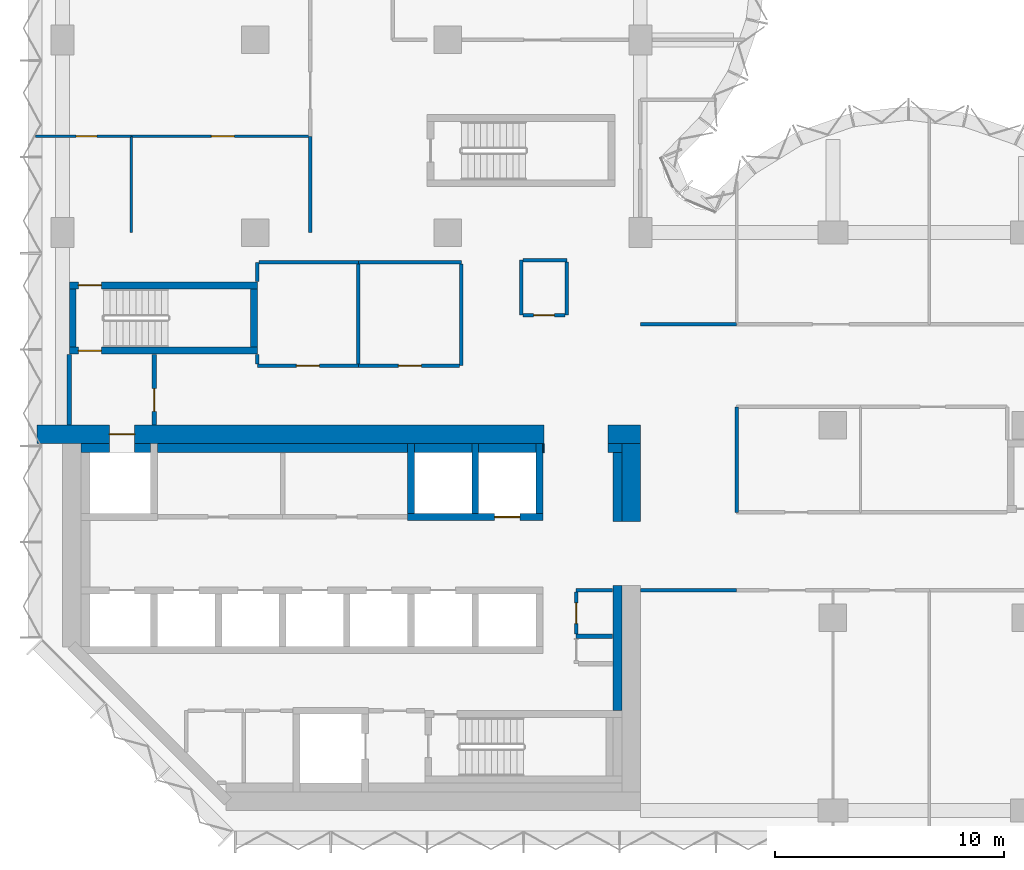
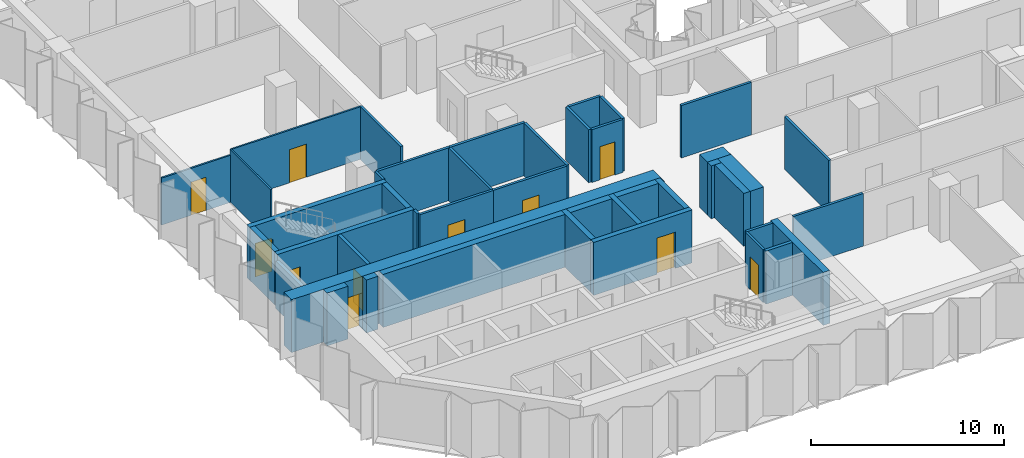
# One storey, part 8 of 13: 44 walls, 11 doors, 11 openings.
"""IFC4 building model written with IfcOpenShell, lengths in metres."""

from ifc_helpers import new_model, si_unit, direction, frame, frame_2d, origin, place, context, subcontext, project, spatial, rectangle, extrude, material, layer, layer_set, type_object, element, fill, save


model = new_model("IFC4")

# Units and contexts
model_context = context("Model", 3, precision=1e-05, world=origin(), true_north=direction((0.0, 1.0)))
body_context = subcontext(model_context, "Body", "Model", "MODEL_VIEW")
ifc_project = project(units=[si_unit("LENGTHUNIT", "METRE"), si_unit("AREAUNIT", "SQUARE_METRE"), si_unit("VOLUMEUNIT", "CUBIC_METRE"), si_unit("PLANEANGLEUNIT", "RADIAN"), si_unit("MASSUNIT", "GRAM", prefix="KILO")], contexts=[model_context])

# Site, building, storey
site_placement = place(None, origin())
site = spatial("IfcSite", under=ifc_project, at=site_placement, CompositionType="ELEMENT")
building_placement = place(site_placement, origin())
building = spatial("IfcBuilding", under=site, at=building_placement, Name="Brevane Broadcast Tower", CompositionType="ELEMENT")
storey_placement = place(building_placement, frame((0.0, 0.0, 95.300048828125)))
storey = spatial("IfcBuildingStorey", under=building, at=storey_placement, Name="L22", CompositionType="ELEMENT", Elevation=95.300048828125)

# Walls
ifc_material_1 = material(Name="Concrete C32/40", Category="concrete")
ifc_layer_1 = layer(ifc_material_1, 0.39990234375)
ifc_layer_set_1 = layer_set([ifc_layer_1], Name="Core chase wall 400 mm")
wall_type_1 = type_object("IfcWallType", Name="Core chase wall 400 mm", PredefinedType="PARTITIONING", material=ifc_layer_set_1)
wall_1_placement = place(storey_placement, frame((24.199951171875, 12.60009765625, 0.0), z_axis=(0.0, 0.0, 1.0), x_axis=(0.0, 1.0, 0.0)))
element("IfcWall", 1, at=wall_1_placement, inside=storey, type_object=wall_type_1, Name="L22 chase wall LE2", PredefinedType="PARTITIONING", context=body_context, shape_type="SweptSolid", body=[
    extrude(rectangle(XDim=3.0, YDim=0.39990234375, at=frame_2d((1.5, 0.0))), origin(), (0.0, 0.0, 1.0), 3.349853515625),
])
wall_2_placement = place(storey_placement, frame((0.800048828125, 15.800048828125, 0.0), z_axis=(0.0, 0.0, 1.0), x_axis=(1.0, 0.0, 0.0)))
element("IfcWall", 2, at=wall_2_placement, inside=storey, type_object=wall_type_1, Name="L22 chase wall LN0", PredefinedType="PARTITIONING", context=body_context, shape_type="SweptSolid", body=[
    extrude(rectangle(XDim=1.25, YDim=0.39990234375, at=frame_2d((0.625, 0.0))), origin(), (0.0, 0.0, 1.0), 3.349853515625),
])
wall_3_placement = place(storey_placement, frame((23.800048828125, 15.800048828125, 0.0), z_axis=(0.0, 0.0, 1.0), x_axis=(1.0, 0.0, 0.0)))
element("IfcWall", 3, at=wall_3_placement, inside=storey, type_object=wall_type_1, Name="L22 chase wall LN2", PredefinedType="PARTITIONING", context=body_context, shape_type="SweptSolid", body=[
    extrude(rectangle(XDim=0.599853515625, YDim=0.39990234375, at=frame_2d((0.2998046875, 0.0))), origin(), (0.0, 0.0, 1.0), 3.349853515625),
])
wall_4_placement = place(storey_placement, frame((3.14990234375, 15.800048828125, 0.0), z_axis=(0.0, 0.0, 1.0), x_axis=(1.0, 0.0, 0.0)))
element("IfcWall", 4, at=wall_4_placement, inside=storey, type_object=wall_type_1, Name="L22 chase wall LN1-1", PredefinedType="PARTITIONING", context=body_context, shape_type="SweptSolid", body=[
    extrude(rectangle(XDim=0.7001953125, YDim=0.39990234375, at=frame_2d((0.35009765625, 0.0))), origin(), (0.0, 0.0, 1.0), 3.349853515625),
])
wall_5_placement = place(storey_placement, frame((4.14990234375, 15.800048828125, 0.0), z_axis=(0.0, 0.0, 1.0), x_axis=(1.0, 0.0, 0.0)))
element("IfcWall", 5, at=wall_5_placement, inside=storey, type_object=wall_type_1, Name="L22 chase wall LN1-2-1", PredefinedType="PARTITIONING", context=body_context, shape_type="SweptSolid", body=[
    extrude(rectangle(XDim=10.900146484375, YDim=0.39990234375, at=frame_2d((5.4501953125, 0.0))), origin(), (0.0, 0.0, 1.0), 3.349853515625),
])
for number, where, z_axis, x_axis, name in (
    (6, (15.35009765625, 15.800048828125, 0.0), (0.0, 0.0, 1.0), (1.0, 0.0, 0.0), "L22 chase wall LN1-2-2-1"),
    (7, (18.14990234375, 15.800048828125, 0.0), (0.0, 0.0, 1.0), (1.0, 0.0, 0.0), "L22 chase wall LN1-2-2-2-1"),
):
    element("IfcWall", number, at=place(storey_placement, frame(where, z_axis=z_axis, x_axis=x_axis)), inside=storey, type_object=wall_type_1, Name=name, PredefinedType="PARTITIONING", context=body_context, shape_type="SweptSolid", body=[
        extrude(rectangle(XDim=2.5, YDim=0.39990234375, at=frame_2d((1.25, 0.0))), origin(), (0.0, 0.0, 1.0), 3.349853515625),
    ])
wall_6_placement = place(storey_placement, frame((20.949951171875, 15.800048828125, 0.0), z_axis=(0.0, 0.0, 1.0), x_axis=(1.0, 0.0, 0.0)))
element("IfcWall", 8, at=wall_6_placement, inside=storey, type_object=wall_type_1, Name="L22 chase wall LN1-2-2-2-2", PredefinedType="PARTITIONING", context=body_context, shape_type="SweptSolid", body=[
    extrude(rectangle(XDim=0.050048828125, YDim=0.39990234375, at=frame_2d((0.02490234375, 0.0))), origin(), (0.0, 0.0, 1.0), 3.349853515625),
])
wall_7_placement = place(storey_placement, frame((24.199951171875, 4.35009765625, 0.0), z_axis=(0.0, 0.0, 1.0), x_axis=(0.0, 1.0, 0.0)))
element("IfcWall", 9, at=wall_7_placement, inside=storey, type_object=wall_type_1, Name="L22 chase wall LE1-2-2", PredefinedType="PARTITIONING", context=body_context, shape_type="SweptSolid", body=[
    extrude(rectangle(XDim=5.449951171875, YDim=0.39990234375, at=frame_2d((2.72509765625, 0.0))), origin(), (0.0, 0.0, 1.0), 3.349853515625),
])

# Wall, opening, door
ifc_material_2 = material(Name="Gypsum board on steel studs", Category="steel")
ifc_layer_2 = layer(ifc_material_2, 0.14990234375)
ifc_layer_set_2 = layer_set([ifc_layer_2], Name="Core fire partition 150 mm")
wall_type_2 = type_object("IfcWallType", Name="Core fire partition 150 mm", PredefinedType="PARTITIONING", material=ifc_layer_set_2)
wall_8_placement = place(storey_placement, frame((12.89990234375, 19.39990234375, 0.0), z_axis=(0.0, 0.0, 1.0), x_axis=(-1.0, 0.0, 0.0)))
wall_8 = element("IfcWall", 10, at=wall_8_placement, inside=storey, type_object=wall_type_2, Name="L22 partition wall P15", PredefinedType="PARTITIONING", context=body_context, shape_type="SweptSolid", body=[
    extrude(rectangle(XDim=4.39990234375, YDim=0.14990234375, at=frame_2d((2.199951171875, 0.0))), origin(), (0.0, 0.0, 1.0), 3.349853515625),
])
opening_1_placement = place(wall_8_placement, frame((1.699951171875, 0.0, 0.0)))
opening_1 = element("IfcOpeningElement", 11, at=opening_1_placement, cuts=wall_8, Name="Opening L22-K25", PredefinedType="OPENING", context=body_context, shape_type="SweptSolid", body=[
    extrude(rectangle(XDim=1.0, YDim=2.10009765625, at=frame_2d((0.5, 1.050048828125))), frame((0.0, 0.0849609375, 0.0), z_axis=(0.0, -1.0, 0.0), x_axis=(1.0, 0.0, 0.0)), (0.0, 0.0, 1.0), 0.169921875),
])
ifc_material_3 = material(Name="Steel", Category="steel")
door_type_1 = type_object("IfcDoorType", Name="Service room door 1000 x 2100", OperationType="SINGLE_SWING_LEFT", PredefinedType="DOOR", material=ifc_material_3)
door_1_placement = place(opening_1_placement, origin())
door_1 = element("IfcDoor", 12, at=door_1_placement, inside=storey, type_object=door_type_1, Name="Door L22-K25", OperationType="SINGLE_SWING_RIGHT", OverallHeight=2.10009765625, OverallWidth=1.0, PredefinedType="DOOR", context=body_context, shape_type="SweptSolid", body=[
    extrude(rectangle(XDim=1.0, YDim=2.10009765625, at=frame_2d((0.5, 1.050048828125))), frame((0.0, 0.02490234375, 0.0), z_axis=(0.0, -1.0, 0.0), x_axis=(1.0, 0.0, 0.0)), (0.0, 0.0, 1.0), 0.050048828125),
])
fill(opening_1, door_1)

# Walls
wall_9_placement = place(storey_placement, frame((8.5, 19.47509765625, 0.0), z_axis=(0.0, 0.0, 1.0), x_axis=(0.0, 1.0, 0.0)))
element("IfcWall", 13, at=wall_9_placement, inside=storey, type_object=wall_type_2, Name="L22 partition wall P16", PredefinedType="PARTITIONING", context=body_context, shape_type="SweptSolid", body=[
    extrude(rectangle(XDim=0.412841796875, YDim=0.14990234375, at=frame_2d((0.20654296875, 0.0))), origin(), (0.0, 0.0, 1.0), 3.349853515625),
])
wall_10_placement = place(storey_placement, frame((8.5, 23.06201171875, 0.0), z_axis=(0.0, 0.0, 1.0), x_axis=(0.0, 1.0, 0.0)))
element("IfcWall", 14, at=wall_10_placement, inside=storey, type_object=wall_type_2, Name="L22 partition wall P17", PredefinedType="PARTITIONING", context=body_context, shape_type="SweptSolid", body=[
    extrude(rectangle(XDim=0.837890625, YDim=0.14990234375, at=frame_2d((0.4189453125, 0.0))), origin(), (0.0, 0.0, 1.0), 3.349853515625),
])
wall_11_placement = place(storey_placement, frame((8.574951171875, 23.89990234375, 0.0), z_axis=(0.0, 0.0, 1.0), x_axis=(1.0, 0.0, 0.0)))
element("IfcWall", 15, at=wall_11_placement, inside=storey, type_object=wall_type_2, Name="L22 partition wall P18", PredefinedType="PARTITIONING", context=body_context, shape_type="SweptSolid", body=[
    extrude(rectangle(XDim=4.324951171875, YDim=0.14990234375, at=frame_2d((2.16259765625, 0.0))), origin(), (0.0, 0.0, 1.0), 3.349853515625),
])
wall_12_placement = place(storey_placement, frame((12.89990234375, 23.89990234375, 0.0), z_axis=(0.0, 0.0, 1.0), x_axis=(1.0, 0.0, 0.0)))
element("IfcWall", 16, at=wall_12_placement, inside=storey, type_object=wall_type_2, Name="L22 partition wall P19", PredefinedType="PARTITIONING", context=body_context, shape_type="SweptSolid", body=[
    extrude(rectangle(XDim=4.5, YDim=0.14990234375, at=frame_2d((2.25, 0.0))), origin(), (0.0, 0.0, 1.0), 3.349853515625),
])
wall_13_placement = place(storey_placement, frame((17.39990234375, 23.824951171875, 0.0), z_axis=(0.0, 0.0, 1.0), x_axis=(0.0, -1.0, 0.0)))
element("IfcWall", 17, at=wall_13_placement, inside=storey, type_object=wall_type_2, Name="L22 partition wall P20", PredefinedType="PARTITIONING", context=body_context, shape_type="SweptSolid", body=[
    extrude(rectangle(XDim=4.425048828125, YDim=0.14990234375, at=frame_2d((2.21240234375, 0.0))), origin(), (0.0, 0.0, 1.0), 3.349853515625),
])

# Wall, opening, door
wall_14_placement = place(storey_placement, frame((17.324951171875, 19.39990234375, 0.0), z_axis=(0.0, 0.0, 1.0), x_axis=(-1.0, 0.0, 0.0)))
wall_14 = element("IfcWall", 18, at=wall_14_placement, inside=storey, type_object=wall_type_2, Name="L22 partition wall P21", PredefinedType="PARTITIONING", context=body_context, shape_type="SweptSolid", body=[
    extrude(rectangle(XDim=4.425048828125, YDim=0.14990234375, at=frame_2d((2.21240234375, 0.0))), origin(), (0.0, 0.0, 1.0), 3.349853515625),
])
opening_2_placement = place(wall_14_placement, frame((1.675048828125, 0.0, 0.0)))
opening_2 = element("IfcOpeningElement", 19, at=opening_2_placement, cuts=wall_14, Name="Opening L22-K26", PredefinedType="OPENING", context=body_context, shape_type="SweptSolid", body=[
    extrude(rectangle(XDim=1.0, YDim=2.10009765625, at=frame_2d((0.5, 1.050048828125))), frame((0.0, 0.0849609375, 0.0), z_axis=(0.0, -1.0, 0.0), x_axis=(1.0, 0.0, 0.0)), (0.0, 0.0, 1.0), 0.169921875),
])
door_2_placement = place(opening_2_placement, origin())
door_2 = element("IfcDoor", 20, at=door_2_placement, inside=storey, type_object=door_type_1, Name="Door L22-K26", OperationType="SINGLE_SWING_LEFT", OverallHeight=2.10009765625, OverallWidth=1.0, PredefinedType="DOOR", context=body_context, shape_type="SweptSolid", body=[
    extrude(rectangle(XDim=1.0, YDim=2.10009765625, at=frame_2d((0.5, 1.050048828125))), frame((0.0, 0.02490234375, 0.0), z_axis=(0.0, -1.0, 0.0), x_axis=(1.0, 0.0, 0.0)), (0.0, 0.0, 1.0), 0.050048828125),
])
fill(opening_2, door_2)

# Walls
wall_15_placement = place(storey_placement, frame((12.89990234375, 23.824951171875, 0.0), z_axis=(0.0, 0.0, 1.0), x_axis=(0.0, -1.0, 0.0)))
element("IfcWall", 21, at=wall_15_placement, inside=storey, type_object=wall_type_2, Name="L22 partition wall P22", PredefinedType="PARTITIONING", context=body_context, shape_type="SweptSolid", body=[
    extrude(rectangle(XDim=4.349853515625, YDim=0.14990234375, at=frame_2d((2.1748046875, 0.0))), origin(), (0.0, 0.0, 1.0), 3.349853515625),
])
wall_16_placement = place(storey_placement, frame((23.988037109375, 9.60009765625, 0.0), z_axis=(0.0, 0.0, 1.0), x_axis=(-1.0, 0.0, 0.0)))
element("IfcWall", 22, at=wall_16_placement, inside=storey, type_object=wall_type_2, Name="L22 partition wall P23", PredefinedType="PARTITIONING", context=body_context, shape_type="SweptSolid", body=[
    extrude(rectangle(XDim=1.588134765625, YDim=0.14990234375, at=frame_2d((0.7939453125, 0.0))), origin(), (0.0, 0.0, 1.0), 3.349853515625),
])

# Wall, opening, door
wall_17_placement = place(storey_placement, frame((22.39990234375, 9.52490234375, 0.0), z_axis=(0.0, 0.0, 1.0), x_axis=(0.0, -1.0, 0.0)))
wall_17 = element("IfcWall", 23, at=wall_17_placement, inside=storey, type_object=wall_type_2, Name="L22 partition wall P24", PredefinedType="PARTITIONING", context=body_context, shape_type="SweptSolid", body=[
    extrude(rectangle(XDim=1.824951171875, YDim=0.14990234375, at=frame_2d((0.91259765625, 0.0))), origin(), (0.0, 0.0, 1.0), 3.349853515625),
])
opening_3_placement = place(wall_17_placement, frame((0.47509765625, 0.0, 0.0)))
opening_3 = element("IfcOpeningElement", 24, at=opening_3_placement, cuts=wall_17, Name="Opening L22-K20", PredefinedType="OPENING", context=body_context, shape_type="SweptSolid", body=[
    extrude(rectangle(XDim=0.89990234375, YDim=2.10009765625, at=frame_2d((0.449951171875, 1.050048828125))), frame((0.0, 0.0849609375, 0.0), z_axis=(0.0, -1.0, 0.0), x_axis=(1.0, 0.0, 0.0)), (0.0, 0.0, 1.0), 0.169921875),
])
door_type_2 = type_object("IfcDoorType", Name="Service room door 900 x 2100", OperationType="SINGLE_SWING_LEFT", PredefinedType="DOOR", material=ifc_material_3)
door_3_placement = place(opening_3_placement, origin())
door_3 = element("IfcDoor", 25, at=door_3_placement, inside=storey, type_object=door_type_2, Name="Door L22-K20", OperationType="SINGLE_SWING_LEFT", OverallHeight=2.10009765625, OverallWidth=0.89990234375, PredefinedType="DOOR", context=body_context, shape_type="SweptSolid", body=[
    extrude(rectangle(XDim=0.89990234375, YDim=2.10009765625, at=frame_2d((0.449951171875, 1.050048828125))), frame((0.0, 0.02490234375, 0.0), z_axis=(0.0, -1.0, 0.0), x_axis=(1.0, 0.0, 0.0)), (0.0, 0.0, 1.0), 0.050048828125),
])
fill(opening_3, door_3)

# Walls
wall_18_placement = place(storey_placement, frame((20.0, 21.60009765625, 0.0), z_axis=(0.0, 0.0, 1.0), x_axis=(0.0, 1.0, 0.0)))
element("IfcWall", 26, at=wall_18_placement, inside=storey, type_object=wall_type_2, Name="L22 partition wall P25", PredefinedType="PARTITIONING", context=body_context, shape_type="SweptSolid", body=[
    extrude(rectangle(XDim=2.39990234375, YDim=0.14990234375, at=frame_2d((1.199951171875, 0.0))), origin(), (0.0, 0.0, 1.0), 3.349853515625),
])
wall_19_placement = place(storey_placement, frame((20.074951171875, 24.0, 0.0), z_axis=(0.0, 0.0, 1.0), x_axis=(1.0, 0.0, 0.0)))
element("IfcWall", 27, at=wall_19_placement, inside=storey, type_object=wall_type_2, Name="L22 partition wall P26", PredefinedType="PARTITIONING", context=body_context, shape_type="SweptSolid", body=[
    extrude(rectangle(XDim=1.925048828125, YDim=0.14990234375, at=frame_2d((0.96240234375, 0.0))), origin(), (0.0, 0.0, 1.0), 3.349853515625),
])
wall_20_placement = place(storey_placement, frame((22.0, 23.925048828125, 0.0), z_axis=(0.0, 0.0, 1.0), x_axis=(0.0, -1.0, 0.0)))
element("IfcWall", 28, at=wall_20_placement, inside=storey, type_object=wall_type_2, Name="L22 partition wall P27", PredefinedType="PARTITIONING", context=body_context, shape_type="SweptSolid", body=[
    extrude(rectangle(XDim=2.324951171875, YDim=0.14990234375, at=frame_2d((1.16259765625, 0.0))), origin(), (0.0, 0.0, 1.0), 3.349853515625),
])

# Wall, opening, door
wall_21_placement = place(storey_placement, frame((21.925048828125, 21.60009765625, 0.0), z_axis=(0.0, 0.0, 1.0), x_axis=(-1.0, 0.0, 0.0)))
wall_21 = element("IfcWall", 29, at=wall_21_placement, inside=storey, type_object=wall_type_2, Name="L22 partition wall P28", PredefinedType="PARTITIONING", context=body_context, shape_type="SweptSolid", body=[
    extrude(rectangle(XDim=1.85009765625, YDim=0.14990234375, at=frame_2d((0.925048828125, 0.0))), origin(), (0.0, 0.0, 1.0), 3.349853515625),
])
opening_4_placement = place(wall_21_placement, frame((0.47509765625, 0.0, 0.0)))
opening_4 = element("IfcOpeningElement", 30, at=opening_4_placement, cuts=wall_21, Name="Opening L22-K24", PredefinedType="OPENING", context=body_context, shape_type="SweptSolid", body=[
    extrude(rectangle(XDim=0.89990234375, YDim=2.10009765625, at=frame_2d((0.449951171875, 1.050048828125))), frame((0.0, 0.0849609375, 0.0), z_axis=(0.0, -1.0, 0.0), x_axis=(1.0, 0.0, 0.0)), (0.0, 0.0, 1.0), 0.169921875),
])
ifc_material_4 = material(Name="Timber", Category="wood")
door_type_3 = type_object("IfcDoorType", Name="Toilet door 900 x 2100", OperationType="SINGLE_SWING_LEFT", PredefinedType="DOOR", material=ifc_material_4)
door_4_placement = place(opening_4_placement, origin())
door_4 = element("IfcDoor", 31, at=door_4_placement, inside=storey, type_object=door_type_3, Name="Door L22-K24", OperationType="SINGLE_SWING_LEFT", OverallHeight=2.10009765625, OverallWidth=0.89990234375, PredefinedType="DOOR", context=body_context, shape_type="SweptSolid", body=[
    extrude(rectangle(XDim=0.89990234375, YDim=2.10009765625, at=frame_2d((0.449951171875, 1.050048828125))), frame((0.0, 0.02490234375, 0.0), z_axis=(0.0, -1.0, 0.0), x_axis=(1.0, 0.0, 0.0)), (0.0, 0.0, 1.0), 0.050048828125),
])
fill(opening_4, door_4)

# Wall
ifc_layer_3 = layer(ifc_material_2, 0.199951171875)
ifc_layer_set_3 = layer_set([ifc_layer_3], Name="Core fire partition 200 mm")
wall_type_3 = type_object("IfcWallType", Name="Core fire partition 200 mm", PredefinedType="PARTITIONING", material=ifc_layer_set_3)
wall_22_placement = place(storey_placement, frame((0.300048828125, 16.81201171875, 0.0), z_axis=(0.0, 0.0, 1.0), x_axis=(0.0, 1.0, 0.0)))
element("IfcWall", 32, at=wall_22_placement, inside=storey, type_object=wall_type_3, Name="L22 partition wall P01", PredefinedType="PARTITIONING", context=body_context, shape_type="SweptSolid", body=[
    extrude(rectangle(XDim=3.075927734375, YDim=0.199951171875, at=frame_2d((1.5380859375, 0.0))), origin(), (0.0, 0.0, 1.0), 2.97998046875),
])

# Wall, opening, door
wall_23_placement = place(storey_placement, frame((4.0, 19.887939453125, 0.0), z_axis=(0.0, 0.0, 1.0), x_axis=(0.0, -1.0, 0.0)))
wall_23 = element("IfcWall", 33, at=wall_23_placement, inside=storey, type_object=wall_type_3, Name="L22 partition wall P02", PredefinedType="PARTITIONING", context=body_context, shape_type="SweptSolid", body=[
    extrude(rectangle(XDim=3.075927734375, YDim=0.199951171875, at=frame_2d((1.5380859375, 0.0))), origin(), (0.0, 0.0, 1.0), 3.349853515625),
])
opening_5_placement = place(wall_23_placement, frame((1.488037109375, 0.0, 0.0)))
opening_5 = element("IfcOpeningElement", 34, at=opening_5_placement, cuts=wall_23, Name="Opening L22-K23", PredefinedType="OPENING", context=body_context, shape_type="SweptSolid", body=[
    extrude(rectangle(XDim=1.0, YDim=2.10009765625, at=frame_2d((0.5, 1.050048828125))), frame((0.0, 0.10986328125, 0.0), z_axis=(0.0, -1.0, 0.0), x_axis=(1.0, 0.0, 0.0)), (0.0, 0.0, 1.0), 0.219970703125),
])
door_type_4 = type_object("IfcDoorType", Name="Stair door 1000 x 2100", OperationType="SINGLE_SWING_LEFT", PredefinedType="DOOR", material=ifc_material_3)
door_5_placement = place(opening_5_placement, origin())
door_5 = element("IfcDoor", 35, at=door_5_placement, inside=storey, type_object=door_type_4, Name="Door L22-K23", OperationType="SINGLE_SWING_RIGHT", OverallHeight=2.10009765625, OverallWidth=1.0, PredefinedType="DOOR", context=body_context, shape_type="SweptSolid", body=[
    extrude(rectangle(XDim=1.0, YDim=2.10009765625, at=frame_2d((0.5, 1.050048828125))), frame((0.0, 0.02490234375, 0.0), z_axis=(0.0, -1.0, 0.0), x_axis=(1.0, 0.0, 0.0)), (0.0, 0.0, 1.0), 0.050048828125),
])
fill(opening_5, door_5)

# Wall
wall_24_placement = place(storey_placement, frame((23.988037109375, 7.60009765625, 0.0), z_axis=(0.0, 0.0, 1.0), x_axis=(-1.0, 0.0, 0.0)))
element("IfcWall", 36, at=wall_24_placement, inside=storey, type_object=wall_type_3, Name="L22 partition wall P07", PredefinedType="PARTITIONING", context=body_context, shape_type="SweptSolid", body=[
    extrude(rectangle(XDim=1.588134765625, YDim=0.199951171875, at=frame_2d((0.7939453125, 0.0))), origin(), (0.0, 0.0, 1.0), 3.349853515625),
])

# Wall, opening, door
ifc_material_5 = material(Name="Concrete C60/75", Category="concrete")
ifc_layer_4 = layer(ifc_material_5, 0.300048828125)
ifc_layer_set_4 = layer_set([ifc_layer_4], Name="Core wall 300 mm C60/75")
wall_type_4 = type_object("IfcWallType", Name="Core wall 300 mm C60/75", PredefinedType="SHEAR", material=ifc_layer_set_4)
wall_25_placement = place(storey_placement, frame((15.050048828125, 12.800048828125, 0.0), z_axis=(0.0, 0.0, 1.0), x_axis=(1.0, 0.0, 0.0)))
wall_25 = element("IfcWall", 37, at=wall_25_placement, inside=storey, type_object=wall_type_4, Name="L22 shaft wall SH-N152-front", PredefinedType="SHEAR", context=body_context, shape_type="SweptSolid", body=[
    extrude(rectangle(XDim=5.89990234375, YDim=0.300048828125, at=frame_2d((2.949951171875, 0.0))), origin(), (0.0, 0.0, 1.0), 3.349853515625),
])
opening_6_placement = place(wall_25_placement, frame((3.800048828125, 0.0, 0.0)))
opening_6 = element("IfcOpeningElement", 38, at=opening_6_placement, cuts=wall_25, Name="Opening LD", PredefinedType="OPENING", context=body_context, shape_type="SweptSolid", body=[
    extrude(rectangle(XDim=1.10009765625, YDim=2.300048828125, at=frame_2d((0.550048828125, 1.14990234375))), frame((0.0, 0.159912109375, 0.0), z_axis=(0.0, -1.0, 0.0), x_axis=(1.0, 0.0, 0.0)), (0.0, 0.0, 1.0), 0.320068359375),
])
ifc_material_6 = material(Name="Stainless steel", Category="steel")
door_type_5 = type_object("IfcDoorType", Name="Lift landing door", OperationType="SLIDING_TO_LEFT", PredefinedType="DOOR", material=ifc_material_6)
door_6_placement = place(opening_6_placement, origin())
door_6 = element("IfcDoor", 39, at=door_6_placement, inside=storey, type_object=door_type_5, Name="Landing door SL1 L22", OperationType="SLIDING_TO_LEFT", OverallHeight=2.300048828125, OverallWidth=1.10009765625, PredefinedType="DOOR", context=body_context, shape_type="SweptSolid", body=[
    extrude(rectangle(XDim=1.10009765625, YDim=2.300048828125, at=frame_2d((0.550048828125, 1.14990234375))), frame((0.0, 0.02490234375, 0.0), z_axis=(0.0, -1.0, 0.0), x_axis=(1.0, 0.0, 0.0)), (0.0, 0.0, 1.0), 0.050048828125),
])
fill(opening_6, door_6)

# Walls
for number, where, z_axis, x_axis, name in (
    (40, (15.199951171875, 12.949951171875, 0.0), (0.0, 0.0, 1.0), (0.0, 1.0, 0.0), "L22 shaft wall SH-N-P152"),
    (41, (18.0, 12.949951171875, 0.0), (0.0, 0.0, 1.0), (0.0, 1.0, 0.0), "L22 shaft wall SH-N-P180"),
    (42, (20.800048828125, 12.949951171875, 0.0), (0.0, 0.0, 1.0), (0.0, 1.0, 0.0), "L22 shaft wall SH-N-P208"),
):
    element("IfcWall", number, at=place(storey_placement, frame(where, z_axis=z_axis, x_axis=x_axis)), inside=storey, type_object=wall_type_4, Name=name, PredefinedType="SHEAR", context=body_context, shape_type="SweptSolid", body=[
        extrude(rectangle(XDim=3.050048828125, YDim=0.300048828125, at=frame_2d((1.52490234375, 0.0))), origin(), (0.0, 0.0, 1.0), 3.349853515625),
    ])

# Wall, opening, door
wall_26_placement = place(storey_placement, frame((8.5, 20.050048828125, 0.0), z_axis=(0.0, 0.0, 1.0), x_axis=(-1.0, 0.0, 0.0)))
wall_26 = element("IfcWall", 43, at=wall_26_placement, inside=storey, type_object=wall_type_4, Name="L22 stair wall ST-1-S", PredefinedType="SHEAR", context=body_context, shape_type="SweptSolid", body=[
    extrude(rectangle(XDim=8.199951171875, YDim=0.300048828125, at=frame_2d((4.10009765625, 0.0))), origin(), (0.0, 0.0, 1.0), 3.349853515625),
])
opening_7_placement = place(wall_26_placement, frame((6.800048828125, 0.0, 0.0)))
opening_7 = element("IfcOpeningElement", 44, at=opening_7_placement, cuts=wall_26, Name="Opening L22-K10", PredefinedType="OPENING", context=body_context, shape_type="SweptSolid", body=[
    extrude(rectangle(XDim=1.0, YDim=2.10009765625, at=frame_2d((0.5, 1.050048828125))), frame((0.0, 0.159912109375, 0.0), z_axis=(0.0, -1.0, 0.0), x_axis=(1.0, 0.0, 0.0)), (0.0, 0.0, 1.0), 0.320068359375),
])
door_7_placement = place(opening_7_placement, origin())
door_7 = element("IfcDoor", 45, at=door_7_placement, inside=storey, type_object=door_type_4, Name="Door L22-K10", OperationType="SINGLE_SWING_LEFT", OverallHeight=2.10009765625, OverallWidth=1.0, PredefinedType="DOOR", context=body_context, shape_type="SweptSolid", body=[
    extrude(rectangle(XDim=1.0, YDim=2.10009765625, at=frame_2d((0.5, 1.050048828125))), frame((0.0, 0.02490234375, 0.0), z_axis=(0.0, -1.0, 0.0), x_axis=(1.0, 0.0, 0.0)), (0.0, 0.0, 1.0), 0.050048828125),
])
fill(opening_7, door_7)

wall_27_placement = place(storey_placement, frame((0.300048828125, 22.89990234375, 0.0), z_axis=(0.0, 0.0, 1.0), x_axis=(1.0, 0.0, 0.0)))
wall_27 = element("IfcWall", 46, at=wall_27_placement, inside=storey, type_object=wall_type_4, Name="L22 stair wall ST-1-N", PredefinedType="SHEAR", context=body_context, shape_type="SweptSolid", body=[
    extrude(rectangle(XDim=8.199951171875, YDim=0.300048828125, at=frame_2d((4.10009765625, 0.0))), origin(), (0.0, 0.0, 1.0), 3.349853515625),
])
opening_8_placement = place(wall_27_placement, frame((0.39990234375, 0.0, 0.0)))
opening_8 = element("IfcOpeningElement", 47, at=opening_8_placement, cuts=wall_27, Name="Opening L22-K11", PredefinedType="OPENING", context=body_context, shape_type="SweptSolid", body=[
    extrude(rectangle(XDim=1.0, YDim=2.10009765625, at=frame_2d((0.5, 1.050048828125))), frame((0.0, 0.159912109375, 0.0), z_axis=(0.0, -1.0, 0.0), x_axis=(1.0, 0.0, 0.0)), (0.0, 0.0, 1.0), 0.320068359375),
])
door_8_placement = place(opening_8_placement, origin())
door_8 = element("IfcDoor", 48, at=door_8_placement, inside=storey, type_object=door_type_4, Name="Door L22-K11", OperationType="SINGLE_SWING_RIGHT", OverallHeight=2.10009765625, OverallWidth=1.0, PredefinedType="DOOR", context=body_context, shape_type="SweptSolid", body=[
    extrude(rectangle(XDim=1.0, YDim=2.10009765625, at=frame_2d((0.5, 1.050048828125))), frame((0.0, 0.02490234375, 0.0), z_axis=(0.0, -1.0, 0.0), x_axis=(1.0, 0.0, 0.0)), (0.0, 0.0, 1.0), 0.050048828125),
])
fill(opening_8, door_8)

# Walls
for number, where, z_axis, x_axis, name in (
    (49, (0.449951171875, 20.199951171875, 0.0), (0.0, 0.0, 1.0), (0.0, 1.0, 0.0), "L22 stair wall ST-1-W"),
    (50, (8.35009765625, 20.199951171875, 0.0), (0.0, 0.0, 1.0), (0.0, 1.0, 0.0), "L22 stair wall ST-1-E"),
):
    element("IfcWall", number, at=place(storey_placement, frame(where, z_axis=z_axis, x_axis=x_axis)), inside=storey, type_object=wall_type_4, Name=name, PredefinedType="SHEAR", context=body_context, shape_type="SweptSolid", body=[
        extrude(rectangle(XDim=2.550048828125, YDim=0.300048828125, at=frame_2d((1.27490234375, 0.0))), origin(), (0.0, 0.0, 1.0), 3.349853515625),
    ])

# Wall, opening, door
ifc_layer_5 = layer(ifc_material_5, 0.800048828125)
ifc_layer_set_5 = layer_set([ifc_layer_5], Name="Core wall 800 mm C60/75")
wall_type_5 = type_object("IfcWallType", Name="Core wall 800 mm C60/75", PredefinedType="SHEAR", material=ifc_layer_set_5)
wall_28_placement = place(storey_placement, frame((-1.10009765625, 16.39990234375, 0.0), z_axis=(0.0, 0.0, 1.0), x_axis=(1.0, 0.0, 0.0)))
wall_28 = element("IfcWall", 51, at=wall_28_placement, inside=storey, type_object=wall_type_5, Name="L22 outer wall WN1", PredefinedType="SHEAR", context=body_context, shape_type="SweptSolid", body=[
    extrude(rectangle(XDim=22.10009765625, YDim=0.800048828125, at=frame_2d((11.050048828125, 0.0))), origin(), (0.0, 0.0, 1.0), 3.349853515625),
])
opening_9_placement = place(wall_28_placement, frame((3.14990234375, 0.0, 0.0)))
opening_9 = element("IfcOpeningElement", 52, at=opening_9_placement, cuts=wall_28, Name="Opening LD", PredefinedType="OPENING", context=body_context, shape_type="SweptSolid", body=[
    extrude(rectangle(XDim=1.10009765625, YDim=2.300048828125, at=frame_2d((0.550048828125, 1.14990234375))), frame((0.0, 0.409912109375, 0.0), z_axis=(0.0, -1.0, 0.0), x_axis=(1.0, 0.0, 0.0)), (0.0, 0.0, 1.0), 0.820068359375),
])
door_9_placement = place(opening_9_placement, origin())
door_9 = element("IfcDoor", 53, at=door_9_placement, inside=storey, type_object=door_type_5, Name="Landing door FF1 L22", OperationType="SLIDING_TO_LEFT", OverallHeight=2.300048828125, OverallWidth=1.10009765625, PredefinedType="DOOR", context=body_context, shape_type="SweptSolid", body=[
    extrude(rectangle(XDim=1.10009765625, YDim=2.300048828125, at=frame_2d((0.550048828125, 1.14990234375))), frame((0.0, 0.02490234375, 0.0), z_axis=(0.0, -1.0, 0.0), x_axis=(1.0, 0.0, 0.0)), (0.0, 0.0, 1.0), 0.050048828125),
])
fill(opening_9, door_9)

# Walls
wall_29_placement = place(storey_placement, frame((23.800048828125, 16.39990234375, 0.0), z_axis=(0.0, 0.0, 1.0), x_axis=(1.0, 0.0, 0.0)))
element("IfcWall", 54, at=wall_29_placement, inside=storey, type_object=wall_type_5, Name="L22 outer wall WN2", PredefinedType="SHEAR", context=body_context, shape_type="SweptSolid", body=[
    extrude(rectangle(XDim=1.39990234375, YDim=0.800048828125, at=frame_2d((0.699951171875, 0.0))), origin(), (0.0, 0.0, 1.0), 3.349853515625),
])
wall_30_placement = place(storey_placement, frame((24.800048828125, 12.60009765625, 0.0), z_axis=(0.0, 0.0, 1.0), x_axis=(0.0, 1.0, 0.0)))
element("IfcWall", 55, at=wall_30_placement, inside=storey, type_object=wall_type_5, Name="L22 outer wall WE2", PredefinedType="SHEAR", context=body_context, shape_type="SweptSolid", body=[
    extrude(rectangle(XDim=3.39990234375, YDim=0.800048828125, at=frame_2d((1.699951171875, 0.0))), origin(), (0.0, 0.0, 1.0), 3.349853515625),
])

# Wall, opening, door
ifc_material_7 = material(Name="Gypsum board partition")
ifc_layer_6 = layer(ifc_material_7, 0.10009765625)
ifc_layer_set_6 = layer_set([ifc_layer_6], Name="PARTITION 100 STUD")
wall_type_6 = type_object("IfcWallType", Name="PARTITION 100 STUD", PredefinedType="PARTITIONING", material=ifc_layer_set_6)
wall_31_placement = place(storey_placement, frame((3.0, 29.39990234375, 0.0), z_axis=(0.0, 0.0, 1.0), x_axis=(-1.0, 0.0, 0.0)))
wall_31 = element("IfcWall", 56, at=wall_31_placement, inside=storey, type_object=wall_type_6, Name="Partition G06-052", PredefinedType="PARTITIONING", context=body_context, shape_type="SweptSolid", body=[
    extrude(rectangle(XDim=4.174072265625, YDim=0.10009765625, at=frame_2d((2.0869140625, 0.0))), origin(), (0.0, 0.0, 1.0), 2.97998046875),
])
opening_10_placement = place(wall_31_placement, frame((1.5, 0.0, 0.0)))
opening_10 = element("IfcOpeningElement", 57, at=opening_10_placement, cuts=wall_31, Name="Opening D13-013", PredefinedType="OPENING", context=body_context, shape_type="SweptSolid", body=[
    extrude(rectangle(XDim=0.89990234375, YDim=2.10009765625, at=frame_2d((0.449951171875, 1.050048828125))), frame((0.0, 0.06005859375, 0.0), z_axis=(0.0, -1.0, 0.0), x_axis=(1.0, 0.0, 0.0)), (0.0, 0.0, 1.0), 0.1201171875),
])
ifc_material_8 = material(Name="Timber door leaf", Category="wood")
door_type_6 = type_object("IfcDoorType", Name="DOOR SINGLE 900 INTERNAL", OperationType="SINGLE_SWING_LEFT", PredefinedType="DOOR", material=ifc_material_8)
door_10_placement = place(opening_10_placement, origin())
door_10 = element("IfcDoor", 58, at=door_10_placement, inside=storey, type_object=door_type_6, Name="Door D13-013", OperationType="SINGLE_SWING_LEFT", OverallHeight=2.10009765625, OverallWidth=0.89990234375, PredefinedType="DOOR", context=body_context, shape_type="SweptSolid", body=[
    extrude(rectangle(XDim=0.89990234375, YDim=2.10009765625, at=frame_2d((0.449951171875, 1.050048828125))), frame((0.0, 0.02490234375, 0.0), z_axis=(0.0, -1.0, 0.0), x_axis=(1.0, 0.0, 0.0)), (0.0, 0.0, 1.0), 0.050048828125),
])
fill(opening_10, door_10)

wall_32_placement = place(storey_placement, frame((10.800048828125, 29.39990234375, 0.0), z_axis=(0.0, 0.0, 1.0), x_axis=(-1.0, 0.0, 0.0)))
wall_32 = element("IfcWall", 59, at=wall_32_placement, inside=storey, type_object=wall_type_6, Name="Partition G06-053", PredefinedType="PARTITIONING", context=body_context, shape_type="SweptSolid", body=[
    extrude(rectangle(XDim=7.800048828125, YDim=0.10009765625, at=frame_2d((3.89990234375, 0.0))), origin(), (0.0, 0.0, 1.0), 3.329833984375),
])
opening_11_placement = place(wall_32_placement, frame((3.300048828125, 0.0, 0.0)))
opening_11 = element("IfcOpeningElement", 60, at=opening_11_placement, cuts=wall_32, Name="Opening D13-014", PredefinedType="OPENING", context=body_context, shape_type="SweptSolid", body=[
    extrude(rectangle(XDim=1.0, YDim=2.10009765625, at=frame_2d((0.5, 1.050048828125))), frame((0.0, 0.06005859375, 0.0), z_axis=(0.0, -1.0, 0.0), x_axis=(1.0, 0.0, 0.0)), (0.0, 0.0, 1.0), 0.1201171875),
])
door_type_7 = type_object("IfcDoorType", Name="DOOR SINGLE 1000 INTERNAL", OperationType="SINGLE_SWING_LEFT", PredefinedType="DOOR", material=ifc_material_8)
door_11_placement = place(opening_11_placement, origin())
door_11 = element("IfcDoor", 61, at=door_11_placement, inside=storey, type_object=door_type_7, Name="Door D13-014", OperationType="SINGLE_SWING_LEFT", OverallHeight=2.10009765625, OverallWidth=1.0, PredefinedType="DOOR", context=body_context, shape_type="SweptSolid", body=[
    extrude(rectangle(XDim=1.0, YDim=2.10009765625, at=frame_2d((0.5, 1.050048828125))), frame((0.0, 0.02490234375, 0.0), z_axis=(0.0, -1.0, 0.0), x_axis=(1.0, 0.0, 0.0)), (0.0, 0.0, 1.0), 0.050048828125),
])
fill(opening_11, door_11)

# Walls
wall_33_placement = place(storey_placement, frame((3.0, 29.39990234375, 0.0), z_axis=(0.0, 0.0, 1.0), x_axis=(0.0, -1.0, 0.0)))
element("IfcWall", 62, at=wall_33_placement, inside=storey, type_object=wall_type_6, Name="Partition G06-055", PredefinedType="PARTITIONING", context=body_context, shape_type="SweptSolid", body=[
    extrude(rectangle(XDim=4.199951171875, YDim=0.10009765625, at=frame_2d((2.10009765625, 0.0))), origin(), (0.0, 0.0, 1.0), 3.329833984375),
])
ifc_layer_7 = layer(ifc_material_7, 0.14990234375)
ifc_layer_set_7 = layer_set([ifc_layer_7], Name="PARTITION 150 EI 60")
wall_type_7 = type_object("IfcWallType", Name="PARTITION 150 EI 60", PredefinedType="PARTITIONING", material=ifc_layer_set_7)
wall_34_placement = place(storey_placement, frame((25.199951171875, 21.199951171875, 0.0), z_axis=(0.0, 0.0, 1.0), x_axis=(1.0, 0.0, 0.0)))
element("IfcWall", 63, at=wall_34_placement, inside=storey, type_object=wall_type_7, Name="Partition G06-001", PredefinedType="PARTITIONING", context=body_context, shape_type="SweptSolid", body=[
    extrude(rectangle(XDim=4.199951171875, YDim=0.14990234375, at=frame_2d((2.10009765625, 0.0))), origin(), (0.0, 0.0, 1.0), 3.329833984375),
])
wall_35_placement = place(storey_placement, frame((29.39990234375, 17.60009765625, 0.0), z_axis=(0.0, 0.0, 1.0), x_axis=(0.0, -1.0, 0.0)))
element("IfcWall", 64, at=wall_35_placement, inside=storey, type_object=wall_type_7, Name="Partition G06-002", PredefinedType="PARTITIONING", context=body_context, shape_type="SweptSolid", body=[
    extrude(rectangle(XDim=4.60009765625, YDim=0.14990234375, at=frame_2d((2.300048828125, 0.0))), origin(), (0.0, 0.0, 1.0), 3.329833984375),
])
for number, where, z_axis, x_axis, name in (
    (65, (29.39990234375, 9.60009765625, 0.0), (0.0, 0.0, 1.0), (-1.0, 0.0, 0.0), "Partition G06-003"),
    (66, (10.800048828125, 25.199951171875, 0.0), (0.0, 0.0, 1.0), (0.0, 1.0, 0.0), "Partition G06-032"),
):
    element("IfcWall", number, at=place(storey_placement, frame(where, z_axis=z_axis, x_axis=x_axis)), inside=storey, type_object=wall_type_7, Name=name, PredefinedType="PARTITIONING", context=body_context, shape_type="SweptSolid", body=[
        extrude(rectangle(XDim=4.199951171875, YDim=0.14990234375, at=frame_2d((2.10009765625, 0.0))), origin(), (0.0, 0.0, 1.0), 3.329833984375),
    ])

save(model, "model.ifc")
